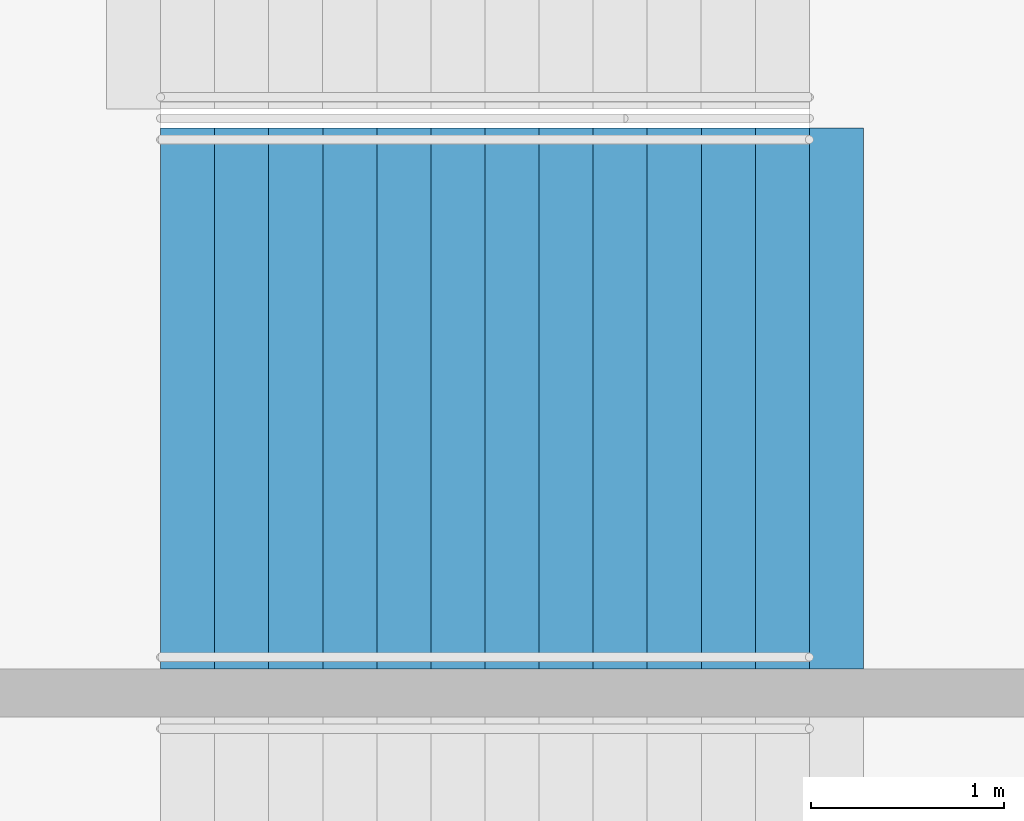
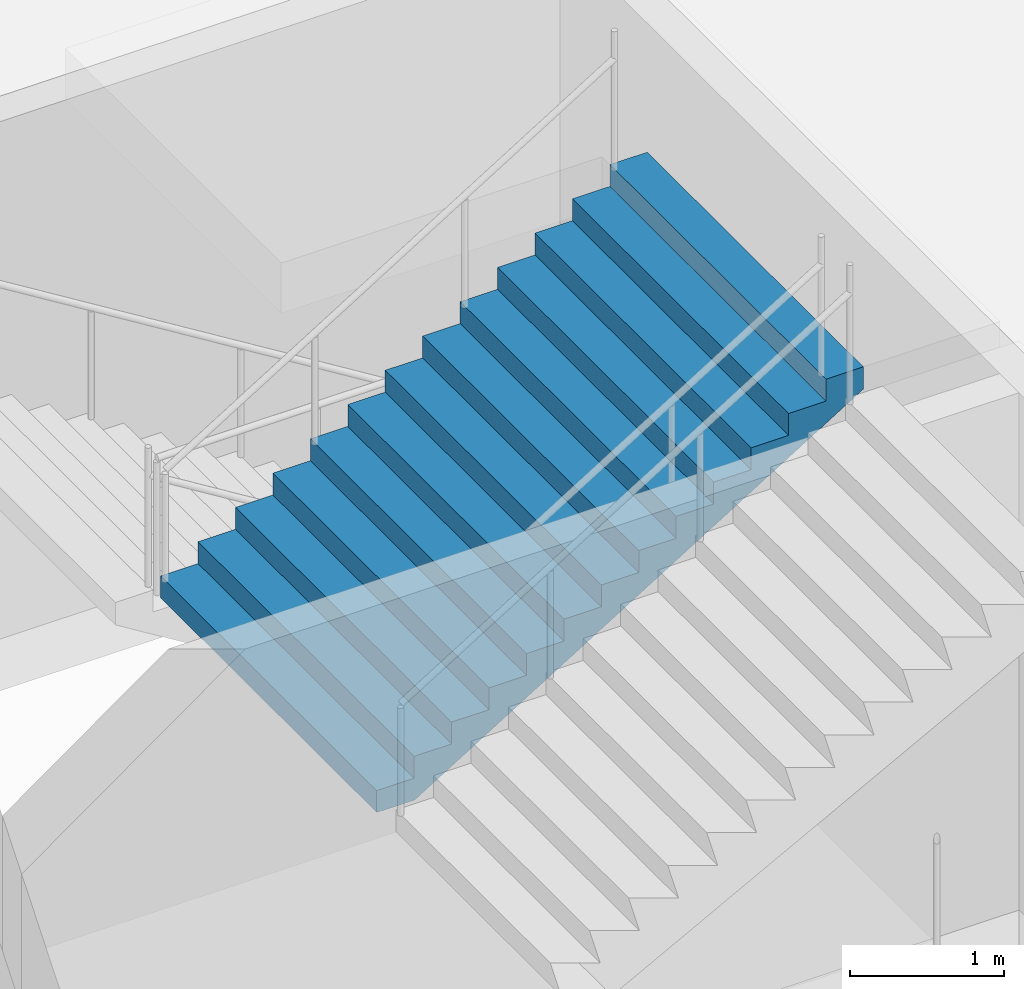
# One storey, part 163 of 249: 1 stair flight, 1 element without a shape of its own.
"""IFC4 building model written with IfcOpenShell, lengths in metres."""

from ifc_helpers import new_model, si_unit, direction, frame, origin, place, context, subcontext, project, spatial, faceted_brep, material, type_object, element, aggregate, save


model = new_model("IFC4")

# Units and contexts
model_context = context("Model", 3, precision=1e-05, world=origin(), true_north=direction((0.0, 1.0)))
body_context = subcontext(model_context, "Body", "Model", "MODEL_VIEW")
ifc_project = project(units=[si_unit("LENGTHUNIT", "METRE"), si_unit("AREAUNIT", "SQUARE_METRE"), si_unit("VOLUMEUNIT", "CUBIC_METRE"), si_unit("PLANEANGLEUNIT", "RADIAN"), si_unit("MASSUNIT", "GRAM", prefix="KILO")], contexts=[model_context])

# Site, building, storey
site_placement = place(None, origin())
site = spatial("IfcSite", under=ifc_project, at=site_placement, CompositionType="ELEMENT")
building_placement = place(site_placement, origin())
building = spatial("IfcBuilding", under=site, at=building_placement, Name="Ogive Plaza Stadium", CompositionType="ELEMENT")
storey_placement = place(building_placement, frame((0.0, 0.0, 13.5)))
storey = spatial("IfcBuildingStorey", under=building, at=storey_placement, Name="L03", CompositionType="ELEMENT", Elevation=13.5)

# Stair, stair flight
ifc_material_1 = material(Name="Concrete C40/50", Category="concrete")
stair_type = type_object("IfcStairType", Name="Exit stair", PredefinedType="STRAIGHT_RUN_STAIR", material=ifc_material_1)
stair_placement = place(storey_placement, origin())
stair = element("IfcStair", 1, at=stair_placement, inside=storey, type_object=stair_type, Name="Exit stair ST24A L03 to L04", PredefinedType="STRAIGHT_RUN_STAIR")
ifc_material_2 = material(Name="Concrete C40/50", Category="concrete")
stair_flight_type = type_object("IfcStairFlightType", Name="Exit stair flight", PredefinedType="STRAIGHT", material=ifc_material_2)
stair_flight_placement = place(storey_placement, frame((-79.7099609375, -5.97509765625, 2.25), z_axis=(0.0, 0.0, 1.0), x_axis=(1.0, 0.0, 0.0)))
stair_flight = element("IfcStairFlight", 2, at=stair_flight_placement, type_object=stair_flight_type, Name="ST24A flight 2", NumberOfRisers=13, NumberOfTreads=12, PredefinedType="STRAIGHT", RiserHeight=0.173076923, TreadLength=0.28, context=body_context, shape_type="Brep", body=[
    faceted_brep([(0.28515625, -1.39990234375, 0.0), (3.639892578125, -1.39990234375, 2.07373046875), (3.639892578125, -1.39990234375, 2.25), (3.360107421875, -1.39990234375, 2.25), (3.360107421875, -1.39990234375, 2.076904296875), (3.080078125, -1.39990234375, 2.076904296875), (3.080078125, -1.39990234375, 1.90380859375), (2.800048828125, -1.39990234375, 1.90380859375), (2.800048828125, -1.39990234375, 1.730712890625), (2.52001953125, -1.39990234375, 1.730712890625), (2.52001953125, -1.39990234375, 1.5576171875), (2.239990234375, -1.39990234375, 1.5576171875), (2.239990234375, -1.39990234375, 1.384521484375), (1.9599609375, -1.39990234375, 1.384521484375), (1.9599609375, -1.39990234375, 1.21142578125), (1.679931640625, -1.39990234375, 1.21142578125), (1.679931640625, -1.39990234375, 1.03857421875), (1.39990234375, -1.39990234375, 1.03857421875), (1.39990234375, -1.39990234375, 0.865478515625), (1.1201171875, -1.39990234375, 0.865478515625), (1.1201171875, -1.39990234375, 0.6923828125), (0.840087890625, -1.39990234375, 0.6923828125), (0.840087890625, -1.39990234375, 0.519287109375), (0.56005859375, -1.39990234375, 0.519287109375), (0.56005859375, -1.39990234375, 0.34619140625), (0.280029296875, -1.39990234375, 0.34619140625), (0.280029296875, -1.39990234375, 0.173095703125), (0.0, -1.39990234375, 0.173095703125), (0.0, -1.39990234375, 0.0), (0.0, 1.39990234375, 0.0), (0.0, 1.39990234375, 0.173095703125), (0.280029296875, 1.39990234375, 0.173095703125), (0.280029296875, 1.39990234375, 0.34619140625), (0.56005859375, 1.39990234375, 0.34619140625), (0.56005859375, 1.39990234375, 0.519287109375), (0.840087890625, 1.39990234375, 0.519287109375), (0.840087890625, 1.39990234375, 0.6923828125), (1.1201171875, 1.39990234375, 0.6923828125), (1.1201171875, 1.39990234375, 0.865478515625), (1.39990234375, 1.39990234375, 0.865478515625), (1.39990234375, 1.39990234375, 1.03857421875), (1.679931640625, 1.39990234375, 1.03857421875), (1.679931640625, 1.39990234375, 1.21142578125), (1.9599609375, 1.39990234375, 1.21142578125), (1.9599609375, 1.39990234375, 1.384521484375), (2.239990234375, 1.39990234375, 1.384521484375), (2.239990234375, 1.39990234375, 1.5576171875), (2.52001953125, 1.39990234375, 1.5576171875), (2.52001953125, 1.39990234375, 1.730712890625), (2.800048828125, 1.39990234375, 1.730712890625), (2.800048828125, 1.39990234375, 1.90380859375), (3.080078125, 1.39990234375, 1.90380859375), (3.080078125, 1.39990234375, 2.076904296875), (3.360107421875, 1.39990234375, 2.076904296875), (3.360107421875, 1.39990234375, 2.25), (3.639892578125, 1.39990234375, 2.25), (3.639892578125, 1.39990234375, 2.07373046875), (0.28515625, 1.39990234375, 0.0), (0.28515625, -1.0888671875, 0.0), (3.639892578125, -1.0888671875, 2.07373046875), (0.28515625, -0.77783203125, 0.0), (3.639892578125, -0.77783203125, 2.07373046875), (0.28515625, -0.466796875, 0.0), (3.639892578125, -0.466796875, 2.07373046875), (0.28515625, -0.155517578125, 0.0), (3.639892578125, -0.155517578125, 2.07373046875), (0.28515625, 0.155517578125, 0.0), (3.639892578125, 0.155517578125, 2.07373046875), (0.28515625, 0.466796875, 0.0), (3.639892578125, 0.466796875, 2.07373046875), (0.28515625, 0.77783203125, 0.0), (3.639892578125, 0.77783203125, 2.07373046875), (0.28515625, 1.0888671875, 0.0), (3.639892578125, 1.0888671875, 2.07373046875), (3.639892578125, -1.0888671875, 2.25), (3.639892578125, -0.77783203125, 2.25), (3.639892578125, -0.466796875, 2.25), (3.639892578125, -0.155517578125, 2.25), (3.639892578125, 0.155517578125, 2.25), (3.639892578125, 0.466796875, 2.25), (3.639892578125, 0.77783203125, 2.25), (3.639892578125, 1.0888671875, 2.25), (3.360107421875, -1.0888671875, 2.25), (3.360107421875, -0.77783203125, 2.25), (3.360107421875, -0.466796875, 2.25), (3.360107421875, -0.155517578125, 2.25), (3.360107421875, 0.155517578125, 2.25), (3.360107421875, 0.466796875, 2.25), (3.360107421875, 0.77783203125, 2.25), (3.360107421875, 1.0888671875, 2.25), (3.360107421875, -1.0888671875, 2.076904296875), (3.360107421875, -0.77783203125, 2.076904296875), (3.360107421875, -0.466796875, 2.076904296875), (3.360107421875, -0.155517578125, 2.076904296875), (3.360107421875, 0.155517578125, 2.076904296875), (3.360107421875, 0.466796875, 2.076904296875), (3.360107421875, 0.77783203125, 2.076904296875), (3.360107421875, 1.0888671875, 2.076904296875), (3.080078125, -1.0888671875, 2.076904296875), (3.080078125, -0.77783203125, 2.076904296875), (3.080078125, -0.466796875, 2.076904296875), (3.080078125, -0.155517578125, 2.076904296875), (3.080078125, 0.155517578125, 2.076904296875), (3.080078125, 0.466796875, 2.076904296875), (3.080078125, 0.77783203125, 2.076904296875), (3.080078125, 1.0888671875, 2.076904296875), (3.080078125, -1.0888671875, 1.90380859375), (3.080078125, -0.77783203125, 1.90380859375), (3.080078125, -0.466796875, 1.90380859375), (3.080078125, -0.155517578125, 1.90380859375), (3.080078125, 0.155517578125, 1.90380859375), (3.080078125, 0.466796875, 1.90380859375), (3.080078125, 0.77783203125, 1.90380859375), (3.080078125, 1.0888671875, 1.90380859375), (2.800048828125, -1.0888671875, 1.90380859375), (2.800048828125, -0.77783203125, 1.90380859375), (2.800048828125, -0.466796875, 1.90380859375), (2.800048828125, -0.155517578125, 1.90380859375), (2.800048828125, 0.155517578125, 1.90380859375), (2.800048828125, 0.466796875, 1.90380859375), (2.800048828125, 0.77783203125, 1.90380859375), (2.800048828125, 1.0888671875, 1.90380859375), (2.800048828125, -1.0888671875, 1.730712890625), (2.800048828125, -0.77783203125, 1.730712890625), (2.800048828125, -0.466796875, 1.730712890625), (2.800048828125, -0.155517578125, 1.730712890625), (2.800048828125, 0.155517578125, 1.730712890625), (2.800048828125, 0.466796875, 1.730712890625), (2.800048828125, 0.77783203125, 1.730712890625), (2.800048828125, 1.0888671875, 1.730712890625), (2.52001953125, -1.0888671875, 1.730712890625), (2.52001953125, -0.77783203125, 1.730712890625), (2.52001953125, -0.466796875, 1.730712890625), (2.52001953125, -0.155517578125, 1.730712890625), (2.52001953125, 0.155517578125, 1.730712890625), (2.52001953125, 0.466796875, 1.730712890625), (2.52001953125, 0.77783203125, 1.730712890625), (2.52001953125, 1.0888671875, 1.730712890625), (2.52001953125, -1.0888671875, 1.5576171875), (2.52001953125, -0.77783203125, 1.5576171875), (2.52001953125, -0.466796875, 1.5576171875), (2.52001953125, -0.155517578125, 1.5576171875), (2.52001953125, 0.155517578125, 1.5576171875), (2.52001953125, 0.466796875, 1.5576171875), (2.52001953125, 0.77783203125, 1.5576171875), (2.52001953125, 1.0888671875, 1.5576171875), (2.239990234375, -1.0888671875, 1.5576171875), (2.239990234375, -0.77783203125, 1.5576171875), (2.239990234375, -0.466796875, 1.5576171875), (2.239990234375, -0.155517578125, 1.5576171875), (2.239990234375, 0.155517578125, 1.5576171875), (2.239990234375, 0.466796875, 1.5576171875), (2.239990234375, 0.77783203125, 1.5576171875), (2.239990234375, 1.0888671875, 1.5576171875), (2.239990234375, -1.0888671875, 1.384521484375), (2.239990234375, -0.77783203125, 1.384521484375), (2.239990234375, -0.466796875, 1.384521484375), (2.239990234375, -0.155517578125, 1.384521484375), (2.239990234375, 0.155517578125, 1.384521484375), (2.239990234375, 0.466796875, 1.384521484375), (2.239990234375, 0.77783203125, 1.384521484375), (2.239990234375, 1.0888671875, 1.384521484375), (1.9599609375, -1.0888671875, 1.384521484375), (1.9599609375, -0.77783203125, 1.384521484375), (1.9599609375, -0.466796875, 1.384521484375), (1.9599609375, -0.155517578125, 1.384521484375), (1.9599609375, 0.155517578125, 1.384521484375), (1.9599609375, 0.466796875, 1.384521484375), (1.9599609375, 0.77783203125, 1.384521484375), (1.9599609375, 1.0888671875, 1.384521484375), (1.9599609375, -1.0888671875, 1.21142578125), (1.9599609375, -0.77783203125, 1.21142578125), (1.9599609375, -0.466796875, 1.21142578125), (1.9599609375, -0.155517578125, 1.21142578125), (1.9599609375, 0.155517578125, 1.21142578125), (1.9599609375, 0.466796875, 1.21142578125), (1.9599609375, 0.77783203125, 1.21142578125), (1.9599609375, 1.0888671875, 1.21142578125), (1.679931640625, -1.0888671875, 1.21142578125), (1.679931640625, -0.77783203125, 1.21142578125), (1.679931640625, -0.466796875, 1.21142578125), (1.679931640625, -0.155517578125, 1.21142578125), (1.679931640625, 0.155517578125, 1.21142578125), (1.679931640625, 0.466796875, 1.21142578125), (1.679931640625, 0.77783203125, 1.21142578125), (1.679931640625, 1.0888671875, 1.21142578125), (1.679931640625, -1.0888671875, 1.03857421875), (1.679931640625, -0.77783203125, 1.03857421875), (1.679931640625, -0.466796875, 1.03857421875), (1.679931640625, -0.155517578125, 1.03857421875), (1.679931640625, 0.155517578125, 1.03857421875), (1.679931640625, 0.466796875, 1.03857421875), (1.679931640625, 0.77783203125, 1.03857421875), (1.679931640625, 1.0888671875, 1.03857421875), (1.39990234375, -1.0888671875, 1.03857421875), (1.39990234375, -0.77783203125, 1.03857421875), (1.39990234375, -0.466796875, 1.03857421875), (1.39990234375, -0.155517578125, 1.03857421875), (1.39990234375, 0.155517578125, 1.03857421875), (1.39990234375, 0.466796875, 1.03857421875), (1.39990234375, 0.77783203125, 1.03857421875), (1.39990234375, 1.0888671875, 1.03857421875), (1.39990234375, -1.0888671875, 0.865478515625), (1.39990234375, -0.77783203125, 0.865478515625), (1.39990234375, -0.466796875, 0.865478515625), (1.39990234375, -0.155517578125, 0.865478515625), (1.39990234375, 0.155517578125, 0.865478515625), (1.39990234375, 0.466796875, 0.865478515625), (1.39990234375, 0.77783203125, 0.865478515625), (1.39990234375, 1.0888671875, 0.865478515625), (1.1201171875, -1.0888671875, 0.865478515625), (1.1201171875, -0.77783203125, 0.865478515625), (1.1201171875, -0.466796875, 0.865478515625), (1.1201171875, -0.155517578125, 0.865478515625), (1.1201171875, 0.155517578125, 0.865478515625), (1.1201171875, 0.466796875, 0.865478515625), (1.1201171875, 0.77783203125, 0.865478515625), (1.1201171875, 1.0888671875, 0.865478515625), (1.1201171875, -1.0888671875, 0.6923828125), (1.1201171875, -0.77783203125, 0.6923828125), (1.1201171875, -0.466796875, 0.6923828125), (1.1201171875, -0.155517578125, 0.6923828125), (1.1201171875, 0.155517578125, 0.6923828125), (1.1201171875, 0.466796875, 0.6923828125), (1.1201171875, 0.77783203125, 0.6923828125), (1.1201171875, 1.0888671875, 0.6923828125), (0.840087890625, -1.0888671875, 0.6923828125), (0.840087890625, -0.77783203125, 0.6923828125), (0.840087890625, -0.466796875, 0.6923828125), (0.840087890625, -0.155517578125, 0.6923828125), (0.840087890625, 0.155517578125, 0.6923828125), (0.840087890625, 0.466796875, 0.6923828125), (0.840087890625, 0.77783203125, 0.6923828125), (0.840087890625, 1.0888671875, 0.6923828125), (0.840087890625, -1.0888671875, 0.519287109375), (0.840087890625, -0.77783203125, 0.519287109375), (0.840087890625, -0.466796875, 0.519287109375), (0.840087890625, -0.155517578125, 0.519287109375), (0.840087890625, 0.155517578125, 0.519287109375), (0.840087890625, 0.466796875, 0.519287109375), (0.840087890625, 0.77783203125, 0.519287109375), (0.840087890625, 1.0888671875, 0.519287109375), (0.56005859375, -1.0888671875, 0.519287109375), (0.56005859375, -0.77783203125, 0.519287109375), (0.56005859375, -0.466796875, 0.519287109375), (0.56005859375, -0.155517578125, 0.519287109375), (0.56005859375, 0.155517578125, 0.519287109375), (0.56005859375, 0.466796875, 0.519287109375), (0.56005859375, 0.77783203125, 0.519287109375), (0.56005859375, 1.0888671875, 0.519287109375), (0.56005859375, -1.0888671875, 0.34619140625), (0.56005859375, -0.77783203125, 0.34619140625), (0.56005859375, -0.466796875, 0.34619140625), (0.56005859375, -0.155517578125, 0.34619140625), (0.56005859375, 0.155517578125, 0.34619140625), (0.56005859375, 0.466796875, 0.34619140625), (0.56005859375, 0.77783203125, 0.34619140625), (0.56005859375, 1.0888671875, 0.34619140625), (0.280029296875, -1.0888671875, 0.34619140625), (0.280029296875, -0.77783203125, 0.34619140625), (0.280029296875, -0.466796875, 0.34619140625), (0.280029296875, -0.155517578125, 0.34619140625), (0.280029296875, 0.155517578125, 0.34619140625), (0.280029296875, 0.466796875, 0.34619140625), (0.280029296875, 0.77783203125, 0.34619140625), (0.280029296875, 1.0888671875, 0.34619140625), (0.280029296875, -1.0888671875, 0.173095703125), (0.280029296875, -0.77783203125, 0.173095703125), (0.280029296875, -0.466796875, 0.173095703125), (0.280029296875, -0.155517578125, 0.173095703125), (0.280029296875, 0.155517578125, 0.173095703125), (0.280029296875, 0.466796875, 0.173095703125), (0.280029296875, 0.77783203125, 0.173095703125), (0.280029296875, 1.0888671875, 0.173095703125), (0.0, -1.0888671875, 0.173095703125), (0.0, -0.77783203125, 0.173095703125), (0.0, -0.466796875, 0.173095703125), (0.0, -0.155517578125, 0.173095703125), (0.0, 0.155517578125, 0.173095703125), (0.0, 0.466796875, 0.173095703125), (0.0, 0.77783203125, 0.173095703125), (0.0, 1.0888671875, 0.173095703125), (0.0, -1.0888671875, 0.0), (0.0, -0.77783203125, 0.0), (0.0, -0.466796875, 0.0), (0.0, -0.155517578125, 0.0), (0.0, 0.155517578125, 0.0), (0.0, 0.466796875, 0.0), (0.0, 0.77783203125, 0.0), (0.0, 1.0888671875, 0.0)], [[[0, 1, 2, 3, 4, 5, 6, 7, 8, 9, 10, 11, 12, 13, 14, 15, 16, 17, 18, 19, 20, 21, 22, 23, 24, 25, 26, 27, 28]], [[29, 30, 31, 32, 33, 34, 35, 36, 37, 38, 39, 40, 41, 42, 43, 44, 45, 46, 47, 48, 49, 50, 51, 52, 53, 54, 55, 56, 57]], [[0, 58, 59, 1]], [[58, 60, 61, 59]], [[60, 62, 63, 61]], [[62, 64, 65, 63]], [[64, 66, 67, 65]], [[66, 68, 69, 67]], [[68, 70, 71, 69]], [[70, 72, 73, 71]], [[72, 57, 56, 73]], [[1, 59, 74, 2]], [[59, 61, 75, 74]], [[61, 63, 76, 75]], [[63, 65, 77, 76]], [[65, 67, 78, 77]], [[67, 69, 79, 78]], [[69, 71, 80, 79]], [[71, 73, 81, 80]], [[73, 56, 55, 81]], [[2, 74, 82, 3]], [[74, 75, 83, 82]], [[75, 76, 84, 83]], [[76, 77, 85, 84]], [[77, 78, 86, 85]], [[78, 79, 87, 86]], [[79, 80, 88, 87]], [[80, 81, 89, 88]], [[81, 55, 54, 89]], [[3, 82, 90, 4]], [[82, 83, 91, 90]], [[83, 84, 92, 91]], [[84, 85, 93, 92]], [[85, 86, 94, 93]], [[86, 87, 95, 94]], [[87, 88, 96, 95]], [[88, 89, 97, 96]], [[89, 54, 53, 97]], [[4, 90, 98, 5]], [[90, 91, 99, 98]], [[91, 92, 100, 99]], [[92, 93, 101, 100]], [[93, 94, 102, 101]], [[94, 95, 103, 102]], [[95, 96, 104, 103]], [[96, 97, 105, 104]], [[97, 53, 52, 105]], [[5, 98, 106, 6]], [[98, 99, 107, 106]], [[99, 100, 108, 107]], [[100, 101, 109, 108]], [[101, 102, 110, 109]], [[102, 103, 111, 110]], [[103, 104, 112, 111]], [[104, 105, 113, 112]], [[105, 52, 51, 113]], [[6, 106, 114, 7]], [[106, 107, 115, 114]], [[107, 108, 116, 115]], [[108, 109, 117, 116]], [[109, 110, 118, 117]], [[110, 111, 119, 118]], [[111, 112, 120, 119]], [[112, 113, 121, 120]], [[113, 51, 50, 121]], [[7, 114, 122, 8]], [[114, 115, 123, 122]], [[115, 116, 124, 123]], [[116, 117, 125, 124]], [[117, 118, 126, 125]], [[118, 119, 127, 126]], [[119, 120, 128, 127]], [[120, 121, 129, 128]], [[121, 50, 49, 129]], [[8, 122, 130, 9]], [[122, 123, 131, 130]], [[123, 124, 132, 131]], [[124, 125, 133, 132]], [[125, 126, 134, 133]], [[126, 127, 135, 134]], [[127, 128, 136, 135]], [[128, 129, 137, 136]], [[129, 49, 48, 137]], [[9, 130, 138, 10]], [[130, 131, 139, 138]], [[131, 132, 140, 139]], [[132, 133, 141, 140]], [[133, 134, 142, 141]], [[134, 135, 143, 142]], [[135, 136, 144, 143]], [[136, 137, 145, 144]], [[137, 48, 47, 145]], [[10, 138, 146, 11]], [[138, 139, 147, 146]], [[139, 140, 148, 147]], [[140, 141, 149, 148]], [[141, 142, 150, 149]], [[142, 143, 151, 150]], [[143, 144, 152, 151]], [[144, 145, 153, 152]], [[145, 47, 46, 153]], [[11, 146, 154, 12]], [[146, 147, 155, 154]], [[147, 148, 156, 155]], [[148, 149, 157, 156]], [[149, 150, 158, 157]], [[150, 151, 159, 158]], [[151, 152, 160, 159]], [[152, 153, 161, 160]], [[153, 46, 45, 161]], [[12, 154, 162, 13]], [[154, 155, 163, 162]], [[155, 156, 164, 163]], [[156, 157, 165, 164]], [[157, 158, 166, 165]], [[158, 159, 167, 166]], [[159, 160, 168, 167]], [[160, 161, 169, 168]], [[161, 45, 44, 169]], [[13, 162, 170, 14]], [[162, 163, 171, 170]], [[163, 164, 172, 171]], [[164, 165, 173, 172]], [[165, 166, 174, 173]], [[166, 167, 175, 174]], [[167, 168, 176, 175]], [[168, 169, 177, 176]], [[169, 44, 43, 177]], [[14, 170, 178, 15]], [[170, 171, 179, 178]], [[171, 172, 180, 179]], [[172, 173, 181, 180]], [[173, 174, 182, 181]], [[174, 175, 183, 182]], [[175, 176, 184, 183]], [[176, 177, 185, 184]], [[177, 43, 42, 185]], [[15, 178, 186, 16]], [[178, 179, 187, 186]], [[179, 180, 188, 187]], [[180, 181, 189, 188]], [[181, 182, 190, 189]], [[182, 183, 191, 190]], [[183, 184, 192, 191]], [[184, 185, 193, 192]], [[185, 42, 41, 193]], [[16, 186, 194, 17]], [[186, 187, 195, 194]], [[187, 188, 196, 195]], [[188, 189, 197, 196]], [[189, 190, 198, 197]], [[190, 191, 199, 198]], [[191, 192, 200, 199]], [[192, 193, 201, 200]], [[193, 41, 40, 201]], [[17, 194, 202, 18]], [[194, 195, 203, 202]], [[195, 196, 204, 203]], [[196, 197, 205, 204]], [[197, 198, 206, 205]], [[198, 199, 207, 206]], [[199, 200, 208, 207]], [[200, 201, 209, 208]], [[201, 40, 39, 209]], [[18, 202, 210, 19]], [[202, 203, 211, 210]], [[203, 204, 212, 211]], [[204, 205, 213, 212]], [[205, 206, 214, 213]], [[206, 207, 215, 214]], [[207, 208, 216, 215]], [[208, 209, 217, 216]], [[209, 39, 38, 217]], [[19, 210, 218, 20]], [[210, 211, 219, 218]], [[211, 212, 220, 219]], [[212, 213, 221, 220]], [[213, 214, 222, 221]], [[214, 215, 223, 222]], [[215, 216, 224, 223]], [[216, 217, 225, 224]], [[217, 38, 37, 225]], [[20, 218, 226, 21]], [[218, 219, 227, 226]], [[219, 220, 228, 227]], [[220, 221, 229, 228]], [[221, 222, 230, 229]], [[222, 223, 231, 230]], [[223, 224, 232, 231]], [[224, 225, 233, 232]], [[225, 37, 36, 233]], [[21, 226, 234, 22]], [[226, 227, 235, 234]], [[227, 228, 236, 235]], [[228, 229, 237, 236]], [[229, 230, 238, 237]], [[230, 231, 239, 238]], [[231, 232, 240, 239]], [[232, 233, 241, 240]], [[233, 36, 35, 241]], [[22, 234, 242, 23]], [[234, 235, 243, 242]], [[235, 236, 244, 243]], [[236, 237, 245, 244]], [[237, 238, 246, 245]], [[238, 239, 247, 246]], [[239, 240, 248, 247]], [[240, 241, 249, 248]], [[241, 35, 34, 249]], [[23, 242, 250, 24]], [[242, 243, 251, 250]], [[243, 244, 252, 251]], [[244, 245, 253, 252]], [[245, 246, 254, 253]], [[246, 247, 255, 254]], [[247, 248, 256, 255]], [[248, 249, 257, 256]], [[249, 34, 33, 257]], [[24, 250, 258, 25]], [[250, 251, 259, 258]], [[251, 252, 260, 259]], [[252, 253, 261, 260]], [[253, 254, 262, 261]], [[254, 255, 263, 262]], [[255, 256, 264, 263]], [[256, 257, 265, 264]], [[257, 33, 32, 265]], [[25, 258, 266, 26]], [[258, 259, 267, 266]], [[259, 260, 268, 267]], [[260, 261, 269, 268]], [[261, 262, 270, 269]], [[262, 263, 271, 270]], [[263, 264, 272, 271]], [[264, 265, 273, 272]], [[265, 32, 31, 273]], [[26, 266, 274, 27]], [[266, 267, 275, 274]], [[267, 268, 276, 275]], [[268, 269, 277, 276]], [[269, 270, 278, 277]], [[270, 271, 279, 278]], [[271, 272, 280, 279]], [[272, 273, 281, 280]], [[273, 31, 30, 281]], [[27, 274, 282, 28]], [[274, 275, 283, 282]], [[275, 276, 284, 283]], [[276, 277, 285, 284]], [[277, 278, 286, 285]], [[278, 279, 287, 286]], [[279, 280, 288, 287]], [[280, 281, 289, 288]], [[281, 30, 29, 289]], [[28, 282, 58, 0]], [[282, 283, 60, 58]], [[283, 284, 62, 60]], [[284, 285, 64, 62]], [[285, 286, 66, 64]], [[286, 287, 68, 66]], [[287, 288, 70, 68]], [[288, 289, 72, 70]], [[289, 29, 57, 72]]]),
])
aggregate(stair, [stair_flight])

save(model, "model.ifc")
